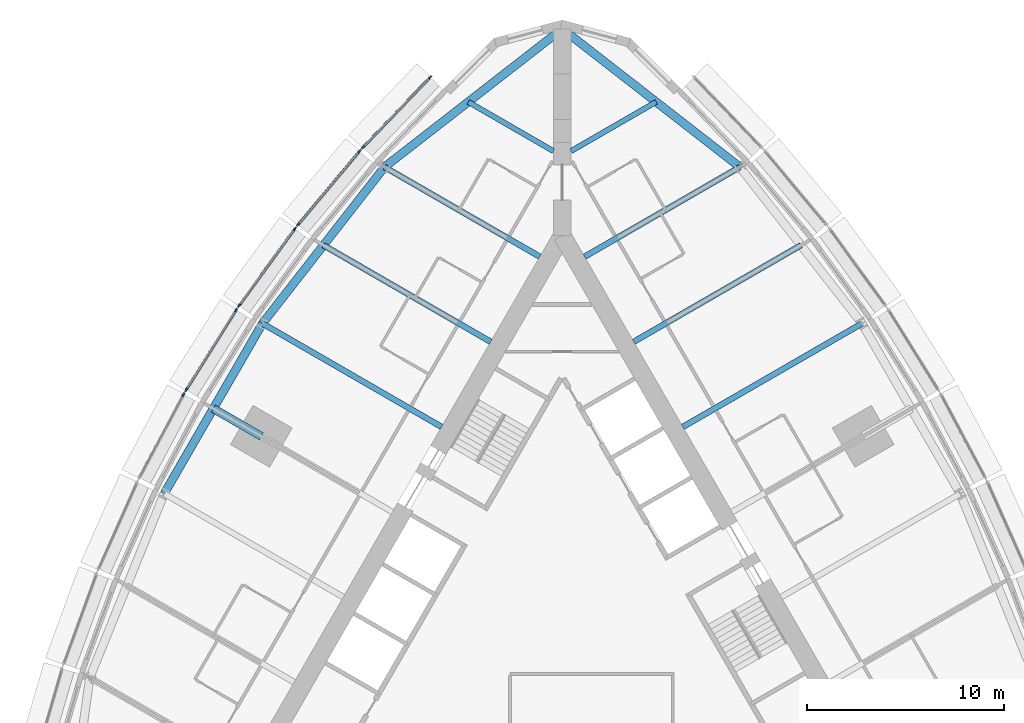
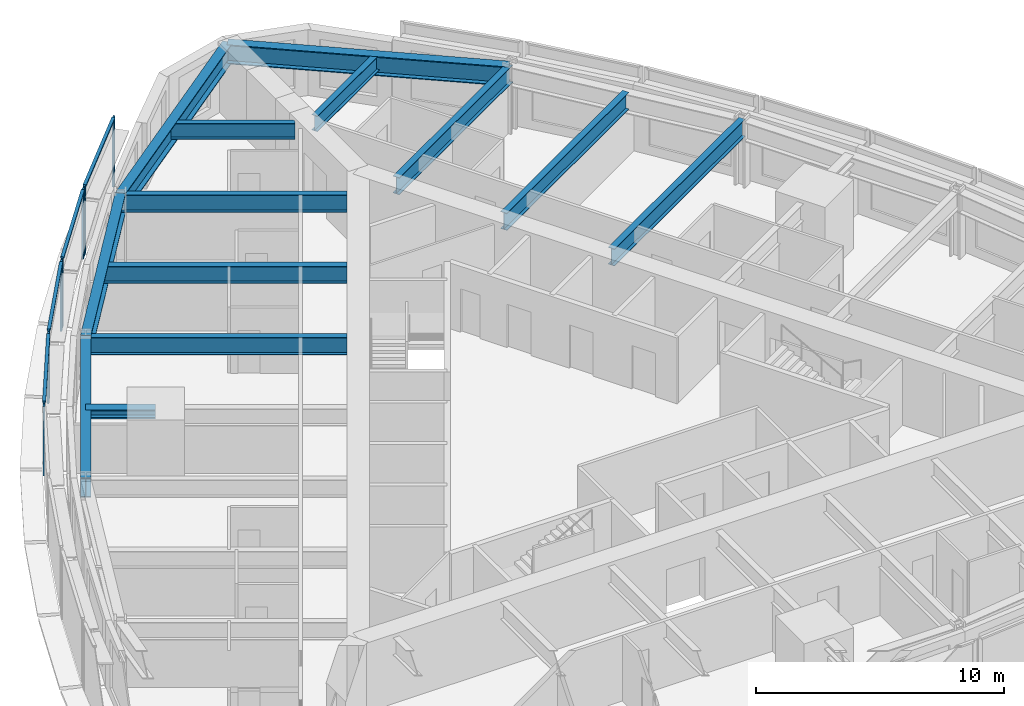
# One storey, part 4 of 14: 13 beams, 13 members, 5 elements without a shape of their own.
"""IFC4 building model written with IfcOpenShell, lengths in metres."""

from ifc_helpers import new_model, si_unit, direction, frame, origin, origin_2d, place, context, subcontext, project, spatial, rectangle, i_section, extrude, material, material_profile, profile_set, type_object, element, aggregate, save


model = new_model("IFC4")

# Units and contexts
model_context = context("Model", 3, precision=1e-05, world=origin(), true_north=direction((0.0, 1.0)))
body_context = subcontext(model_context, "Body", "Model", "MODEL_VIEW")
ifc_project = project(units=[si_unit("LENGTHUNIT", "METRE"), si_unit("AREAUNIT", "SQUARE_METRE"), si_unit("VOLUMEUNIT", "CUBIC_METRE"), si_unit("PLANEANGLEUNIT", "RADIAN"), si_unit("MASSUNIT", "GRAM", prefix="KILO")], contexts=[model_context])

# Site, building, storey
site_placement = place(None, origin())
site = spatial("IfcSite", under=ifc_project, at=site_placement, CompositionType="ELEMENT")
building_placement = place(site_placement, origin())
building = spatial("IfcBuilding", under=site, at=building_placement, Name="Trikona Tower", CompositionType="ELEMENT")
storey_placement = place(building_placement, frame((0.0, 0.0, 155.5)))
storey = spatial("IfcBuildingStorey", under=building, at=storey_placement, Name="L41", CompositionType="ELEMENT", Elevation=155.5)

# Curtain wall, members
ifc_material_1 = material(Name="Aluminium curtain wall system", Category="aluminium")
curtain_wall_type = type_object("IfcCurtainWallType", Name="Curtain wall DS2", PredefinedType="NOTDEFINED", material=ifc_material_1)
curtain_wall_1_placement = place(storey_placement, origin())
curtain_wall_1 = element("IfcCurtainWall", 1, at=curtain_wall_1_placement, inside=storey, type_object=curtain_wall_type, Name="Curtain wall DS2 L41", PredefinedType="NOTDEFINED")
ifc_material_2 = material(Name="Aluminium mullion, pale anodised", Category="aluminium")
ifc_material_profile_1 = material_profile(ifc_material_2, rectangle(XDim=0.080078125, YDim=0.199951171875, at=origin_2d()), Name="MUL-DS2")
ifc_profile_set_1 = profile_set([ifc_material_profile_1], Name="Aluminium mullion, pale anodised")
member_type_1 = type_object("IfcMemberType", Name="Mullion DS2 80x200", PredefinedType="MULLION", material=ifc_profile_set_1)
member_1_placement = place(storey_placement, frame((-6.718994140625, 27.1083984375, 0.0), z_axis=(0.0, 0.0, 1.0), x_axis=(0.722158330767, -0.691727797117, 0.0)))
member_1 = element("IfcMember", 2, at=member_1_placement, type_object=member_type_1, Name="CW-DS2 mullion 1", PredefinedType="MULLION", context=body_context, shape_type="SweptSolid", body=[
    extrude(rectangle(XDim=0.080078125, YDim=0.199951171875, at=origin_2d()), origin(), (0.0, 0.0, 1.0), 3.39990234375),
])
member_2_placement = place(storey_placement, frame((-10.1416015625, 23.535400390625, 0.0), z_axis=(0.0, 0.0, 1.0), x_axis=(0.722158330767, -0.691727797117, 0.0)))
member_2 = element("IfcMember", 3, at=member_2_placement, type_object=member_type_1, Name="CW-DS2 mullion 2", PredefinedType="MULLION", context=body_context, shape_type="SweptSolid", body=[
    extrude(rectangle(XDim=0.080078125, YDim=0.199951171875, at=origin_2d()), origin(), (0.0, 0.0, 1.0), 3.39990234375),
])

curtain_wall_2_placement = place(storey_placement, origin())
curtain_wall_2 = element("IfcCurtainWall", 4, at=curtain_wall_2_placement, inside=storey, type_object=curtain_wall_type, Name="Curtain wall DS2 L41", PredefinedType="NOTDEFINED")
member_3_placement = place(storey_placement, frame((-10.315185546875, 23.34130859375, 0.0), z_axis=(0.0, 0.0, 1.0), x_axis=(0.766866678271, -0.641806433248, 0.0)))
member_3 = element("IfcMember", 5, at=member_3_placement, type_object=member_type_1, Name="CW-DS2 mullion 1", PredefinedType="MULLION", context=body_context, shape_type="SweptSolid", body=[
    extrude(rectangle(XDim=0.080078125, YDim=0.199951171875, at=origin_2d()), origin(), (0.0, 0.0, 1.0), 3.39990234375),
])
member_4_placement = place(storey_placement, frame((-13.44482421875, 19.602294921875, 0.0), z_axis=(0.0, 0.0, 1.0), x_axis=(0.766866678271, -0.641806433248, 0.0)))
member_4 = element("IfcMember", 6, at=member_4_placement, type_object=member_type_1, Name="CW-DS2 mullion 2", PredefinedType="MULLION", context=body_context, shape_type="SweptSolid", body=[
    extrude(rectangle(XDim=0.080078125, YDim=0.199951171875, at=origin_2d()), origin(), (0.0, 0.0, 1.0), 3.39990234375),
])

curtain_wall_3_placement = place(storey_placement, origin())
curtain_wall_3 = element("IfcCurtainWall", 7, at=curtain_wall_3_placement, inside=storey, type_object=curtain_wall_type, Name="Curtain wall DS2 L41", PredefinedType="NOTDEFINED")
member_5_placement = place(storey_placement, frame((-13.605712890625, 19.39599609375, 0.0), z_axis=(0.0, 0.0, 1.0), x_axis=(0.80908576332, -0.587690588313, 0.0)))
member_5 = element("IfcMember", 8, at=member_5_placement, type_object=member_type_1, Name="CW-DS2 mullion 1", PredefinedType="MULLION", context=body_context, shape_type="SweptSolid", body=[
    extrude(rectangle(XDim=0.080078125, YDim=0.199951171875, at=origin_2d()), origin(), (0.0, 0.0, 1.0), 3.39990234375),
])
member_6_placement = place(storey_placement, frame((-16.442626953125, 15.489990234375, 0.0), z_axis=(0.0, 0.0, 1.0), x_axis=(0.80908576332, -0.587690588313, 0.0)))
member_6 = element("IfcMember", 9, at=member_6_placement, type_object=member_type_1, Name="CW-DS2 mullion 2", PredefinedType="MULLION", context=body_context, shape_type="SweptSolid", body=[
    extrude(rectangle(XDim=0.080078125, YDim=0.199951171875, at=origin_2d()), origin(), (0.0, 0.0, 1.0), 3.39990234375),
])

curtain_wall_4_placement = place(storey_placement, origin())
curtain_wall_4 = element("IfcCurtainWall", 10, at=curtain_wall_4_placement, inside=storey, type_object=curtain_wall_type, Name="Curtain wall DS2 L41", PredefinedType="NOTDEFINED")
member_7_placement = place(storey_placement, frame((-16.589599609375, 15.2724609375, 0.0), z_axis=(0.0, 0.0, 1.0), x_axis=(0.847998304006, -0.529998940002, 0.0)))
member_7 = element("IfcMember", 11, at=member_7_placement, type_object=member_type_1, Name="CW-DS2 mullion 1", PredefinedType="MULLION", context=body_context, shape_type="SweptSolid", body=[
    extrude(rectangle(XDim=0.080078125, YDim=0.199951171875, at=origin_2d()), origin(), (0.0, 0.0, 1.0), 3.39990234375),
])
member_8_placement = place(storey_placement, frame((-19.135009765625, 11.199462890625, 0.0), z_axis=(0.0, 0.0, 1.0), x_axis=(0.847998304006, -0.529998940002, 0.0)))
member_8 = element("IfcMember", 12, at=member_8_placement, type_object=member_type_1, Name="CW-DS2 mullion 2", PredefinedType="MULLION", context=body_context, shape_type="SweptSolid", body=[
    extrude(rectangle(XDim=0.080078125, YDim=0.199951171875, at=origin_2d()), origin(), (0.0, 0.0, 1.0), 3.39990234375),
])

# Curtain wall, member
curtain_wall_5_placement = place(storey_placement, origin())
curtain_wall_5 = element("IfcCurtainWall", 13, at=curtain_wall_5_placement, inside=storey, type_object=curtain_wall_type, Name="Curtain wall DS2 L41", PredefinedType="NOTDEFINED")
member_9_placement = place(storey_placement, frame((-19.2666015625, 10.9716796875, 0.0), z_axis=(0.0, 0.0, 1.0), x_axis=(0.882996107343, -0.469380308937, 0.0)))
member_9 = element("IfcMember", 14, at=member_9_placement, type_object=member_type_1, Name="CW-DS2 mullion 1", PredefinedType="MULLION", context=body_context, shape_type="SweptSolid", body=[
    extrude(rectangle(XDim=0.080078125, YDim=0.199951171875, at=origin_2d()), origin(), (0.0, 0.0, 1.0), 3.39990234375),
])
aggregate(curtain_wall_5, [member_9])

# Beams
ifc_material_3 = material(Name="Steel ASTM A992 Grade 50", Category="steel")
ifc_material_profile_2 = material_profile(ifc_material_3, i_section(OverallWidth=0.419189453125, OverallDepth=0.45458984375, WebThickness=0.042236328125, FlangeThickness=0.067626953125, at=origin_2d()), Name="W14X370")
ifc_profile_set_2 = profile_set([ifc_material_profile_2], Name="Steel ASTM A992 Grade 50")
beam_type_1 = type_object("IfcBeamType", Name="Steel beam W14x370 (apex bracket)", PredefinedType="BEAM", material=ifc_profile_set_2)
beam_1_placement = place(storey_placement, frame((-15.311767578125, 8.84033203125, 3.0078125), z_axis=(-0.86605005072, 0.499957307824, 0.0), x_axis=(-0.499957307824, -0.86605005072, 0.0)))
element("IfcBeam", 15, at=beam_1_placement, inside=storey, type_object=beam_type_1, Name="Cantilever bracket L42 F3", PredefinedType="BEAM", context=body_context, shape_type="SweptSolid", body=[
    extrude(i_section(OverallWidth=0.419189453125, OverallDepth=0.45458984375, WebThickness=0.042236328125, FlangeThickness=0.067626953125, at=origin_2d()), origin(), (0.0, 0.0, 1.0), 2.819580078125),
])
ifc_material_4 = material(Name="Steel ASTM A992 Grade 50", Category="steel")
ifc_material_profile_3 = material_profile(ifc_material_4, i_section(OverallWidth=0.2666015625, OverallDepth=0.76953125, WebThickness=0.015625, FlangeThickness=0.025390625, at=origin_2d()), Name="W30X132")
ifc_profile_set_3 = profile_set([ifc_material_profile_3], Name="Steel ASTM A992 Grade 50")
beam_type_2 = type_object("IfcBeamType", Name="Steel beam W30x132 (wedge)", PredefinedType="BEAM", material=ifc_profile_set_3)
for number, where, z_axis, x_axis, name in (
    (16, (0.449951171875, 23.353759765625, 2.85009765625), (0.866038434829, 0.49997742889, 0.0), (-0.49997742889, 0.866038434829, 0.0), "Floor beam L42 F2 u20"),
    (17, (-0.449951171875, 23.353759765625, 2.85009765625), (-0.866038434829, 0.49997742889, 0.0), (-0.49997742889, -0.866038434829, 0.0), "Floor beam L42 F3 u-20"),
):
    element("IfcBeam", number, at=place(storey_placement, frame(where, z_axis=z_axis, x_axis=x_axis)), inside=storey, type_object=beam_type_2, Name=name, PredefinedType="BEAM", context=body_context, shape_type="SweptSolid", body=[
        extrude(i_section(OverallWidth=0.2666015625, OverallDepth=0.76953125, WebThickness=0.015625, FlangeThickness=0.025390625, at=origin_2d()), origin(), (0.0, 0.0, 1.0), 5.000732421875),
    ])
ifc_material_5 = material(Name="Steel ASTM A992 Grade 50", Category="steel")
ifc_material_profile_4 = material_profile(ifc_material_5, i_section(OverallWidth=0.2919921875, OverallDepth=0.845703125, WebThickness=0.015380859375, FlangeThickness=0.0244140625, at=origin_2d()), Name="W33X141")
ifc_profile_set_4 = profile_set([ifc_material_profile_4], Name="Steel ASTM A992 Grade 50")
beam_type_3 = type_object("IfcBeamType", Name="Steel beam W33x141 (radial typ)", PredefinedType="BEAM", material=ifc_profile_set_4)
beam_2_placement = place(storey_placement, frame((6.1396484375, 9.318359375, 2.81201171875), z_axis=(0.866036080828, 0.499981506362, 0.0), x_axis=(-0.499981506362, 0.866036080828, 0.0)))
element("IfcBeam", 18, at=beam_2_placement, inside=storey, type_object=beam_type_3, Name="Floor beam L42 F2 u5", PredefinedType="BEAM", context=body_context, shape_type="SweptSolid", body=[
    extrude(i_section(OverallWidth=0.2919921875, OverallDepth=0.845703125, WebThickness=0.015380859375, FlangeThickness=0.0244140625, at=origin_2d()), origin(), (0.0, 0.0, 1.0), 10.52392578125),
])
beam_3_placement = place(storey_placement, frame((3.6396484375, 13.6484375, 2.81201171875), z_axis=(0.866030807744, 0.499990639951, 0.0), x_axis=(-0.499990639951, 0.866030807744, 0.0)))
element("IfcBeam", 19, at=beam_3_placement, inside=storey, type_object=beam_type_3, Name="Floor beam L42 F2 u10", PredefinedType="BEAM", context=body_context, shape_type="SweptSolid", body=[
    extrude(i_section(OverallWidth=0.2919921875, OverallDepth=0.845703125, WebThickness=0.015380859375, FlangeThickness=0.0244140625, at=origin_2d()), origin(), (0.0, 0.0, 1.0), 9.823974609375),
])
for number, where, z_axis, x_axis, name in (
    (20, (1.1396484375, 17.978515625, 2.81201171875), (0.866024725532, 0.500001174766, 0.0), (-0.500001174766, 0.866024725532, 0.0), "Floor beam L42 F2 u15"),
    (21, (-1.1396484375, 17.978515625, 2.81201171875), (-0.866024725532, 0.500001174766, 0.0), (-0.500001174766, -0.866024725532, 0.0), "Floor beam L42 F3 u-15"),
):
    element("IfcBeam", number, at=place(storey_placement, frame(where, z_axis=z_axis, x_axis=x_axis)), inside=storey, type_object=beam_type_3, Name=name, PredefinedType="BEAM", context=body_context, shape_type="SweptSolid", body=[
        extrude(i_section(OverallWidth=0.2919921875, OverallDepth=0.845703125, WebThickness=0.015380859375, FlangeThickness=0.0244140625, at=origin_2d()), origin(), (0.0, 0.0, 1.0), 9.1240234375),
    ])
beam_4_placement = place(storey_placement, frame((-3.6396484375, 13.6484375, 2.81201171875), z_axis=(-0.866030807744, 0.499990639951, 0.0), x_axis=(-0.499990639951, -0.866030807744, 0.0)))
element("IfcBeam", 22, at=beam_4_placement, inside=storey, type_object=beam_type_3, Name="Floor beam L42 F3 u-10", PredefinedType="BEAM", context=body_context, shape_type="SweptSolid", body=[
    extrude(i_section(OverallWidth=0.2919921875, OverallDepth=0.845703125, WebThickness=0.015380859375, FlangeThickness=0.0244140625, at=origin_2d()), origin(), (0.0, 0.0, 1.0), 9.823974609375),
])
beam_5_placement = place(storey_placement, frame((-6.1396484375, 9.318359375, 2.81201171875), z_axis=(-0.866036080828, 0.499981506362, 0.0), x_axis=(-0.499981506362, -0.866036080828, 0.0)))
element("IfcBeam", 23, at=beam_5_placement, inside=storey, type_object=beam_type_3, Name="Floor beam L42 F3 u-5", PredefinedType="BEAM", context=body_context, shape_type="SweptSolid", body=[
    extrude(i_section(OverallWidth=0.2919921875, OverallDepth=0.845703125, WebThickness=0.015380859375, FlangeThickness=0.0244140625, at=origin_2d()), origin(), (0.0, 0.0, 1.0), 10.52392578125),
])
ifc_material_6 = material(Name="Steel ASTM A992 Grade 50", Category="steel")
ifc_material_profile_5 = material_profile(ifc_material_6, i_section(OverallWidth=0.424072265625, OverallDepth=0.947509765625, WebThickness=0.02392578125, FlangeThickness=0.042724609375, at=origin_2d()), Name="W36X302")
ifc_profile_set_5 = profile_set([ifc_material_profile_5], Name="Steel ASTM A992 Grade 50")
beam_type_4 = type_object("IfcBeamType", Name="Steel beam W36x302 (spandrel)", PredefinedType="SPANDREL", material=ifc_profile_set_5)
for number, where, z_axis, x_axis, name in (
    (24, (9.041259765625, 22.54052734375, 2.76123046875), (-0.789367137808, 0.613921429621, 0.0), (-0.613921429621, -0.789367137808, 0.0), "Spandrel beam L42 F2-5"),
    (25, (0.0, 29.572265625, 2.76123046875), (-0.789367137808, -0.613921429621, 0.0), (0.613921429621, -0.789367137808, 0.0), "Spandrel beam L42 F3-1"),
):
    element("IfcBeam", number, at=place(storey_placement, frame(where, z_axis=z_axis, x_axis=x_axis)), inside=storey, type_object=beam_type_4, Name=name, PredefinedType="SPANDREL", context=body_context, shape_type="SweptSolid", body=[
        extrude(i_section(OverallWidth=0.424072265625, OverallDepth=0.947509765625, WebThickness=0.02392578125, FlangeThickness=0.042724609375, at=origin_2d()), origin(), (0.0, 0.0, 1.0), 11.453857421875),
    ])
beam_6_placement = place(storey_placement, frame((-9.041259765625, 22.54052734375, 2.76123046875), z_axis=(-0.615232009054, -0.788346101046, 0.0), x_axis=(0.788346101046, -0.615232009054, 0.0)))
element("IfcBeam", 26, at=beam_6_placement, inside=storey, type_object=beam_type_4, Name="Spandrel beam L42 F3-2", PredefinedType="SPANDREL", context=body_context, shape_type="SweptSolid", body=[
    extrude(i_section(OverallWidth=0.424072265625, OverallDepth=0.947509765625, WebThickness=0.02392578125, FlangeThickness=0.042724609375, at=origin_2d()), origin(), (0.0, 0.0, 1.0), 10.09765625),
])
beam_7_placement = place(storey_placement, frame((-15.253662109375, 14.580078125, 2.76123046875), z_axis=(-0.500004234368, -0.866022959057, 0.0), x_axis=(0.866022959057, -0.500004234368, 0.0)))
element("IfcBeam", 27, at=beam_7_placement, inside=storey, type_object=beam_type_4, Name="Spandrel beam L42 F3-3", PredefinedType="SPANDREL", context=body_context, shape_type="SweptSolid", body=[
    extrude(i_section(OverallWidth=0.424072265625, OverallDepth=0.947509765625, WebThickness=0.02392578125, FlangeThickness=0.042724609375, at=origin_2d()), origin(), (0.0, 0.0, 1.0), 10.0),
])

# Member
ifc_material_7 = material(Name="Aluminium transom, pale anodised", Category="aluminium")
ifc_material_profile_6 = material_profile(ifc_material_7, rectangle(XDim=0.139892578125, YDim=0.080078125, at=origin_2d()), Name="TRN-DS2")
ifc_profile_set_6 = profile_set([ifc_material_profile_6], Name="Aluminium transom, pale anodised")
member_type_2 = type_object("IfcMemberType", Name="Transom DS2 80x140", PredefinedType="USERDEFINED", material=ifc_profile_set_6)
member_10_placement = place(storey_placement, frame((-6.746826171875, 27.07958984375, 3.360107421875), z_axis=(-0.691721246785, -0.722164605022, 0.0), x_axis=(0.722164605022, -0.691721246785, 0.0)))
member_10 = element("IfcMember", 28, at=member_10_placement, type_object=member_type_2, Name="CW-DS2 transom 1.1", ObjectType="TRANSOM", PredefinedType="USERDEFINED", context=body_context, shape_type="SweptSolid", body=[
    extrude(rectangle(XDim=0.139892578125, YDim=0.080078125, at=origin_2d()), origin(), (0.0, 0.0, 1.0), 4.867919921875),
])

aggregate(curtain_wall_1, [member_1, member_2, member_10])

member_11_placement = place(storey_placement, frame((-10.341064453125, 23.310791015625, 3.360107421875), z_axis=(-0.641770294892, -0.766896921753, 0.0), x_axis=(0.766896921753, -0.641770294892, 0.0)))
member_11 = element("IfcMember", 29, at=member_11_placement, type_object=member_type_2, Name="CW-DS2 transom 1.1", ObjectType="TRANSOM", PredefinedType="USERDEFINED", context=body_context, shape_type="SweptSolid", body=[
    extrude(rectangle(XDim=0.139892578125, YDim=0.080078125, at=origin_2d()), origin(), (0.0, 0.0, 1.0), 4.7958984375),
])

aggregate(curtain_wall_2, [member_3, member_4, member_11])

member_12_placement = place(storey_placement, frame((-13.629150390625, 19.363525390625, 3.360107421875), z_axis=(-0.587694585883, -0.809082859616, 0.0), x_axis=(0.809082859616, -0.587694585883, 0.0)))
member_12 = element("IfcMember", 30, at=member_12_placement, type_object=member_type_2, Name="CW-DS2 transom 1.1", ObjectType="TRANSOM", PredefinedType="USERDEFINED", context=body_context, shape_type="SweptSolid", body=[
    extrude(rectangle(XDim=0.139892578125, YDim=0.080078125, at=origin_2d()), origin(), (0.0, 0.0, 1.0), 4.747314453125),
])

aggregate(curtain_wall_3, [member_5, member_6, member_12])

member_13_placement = place(storey_placement, frame((-16.610595703125, 15.238525390625, 3.360107421875), z_axis=(-0.530031463794, -0.847977975769, 0.0), x_axis=(0.847977975769, -0.530031463794, 0.0)))
member_13 = element("IfcMember", 31, at=member_13_placement, type_object=member_type_2, Name="CW-DS2 transom 1.1", ObjectType="TRANSOM", PredefinedType="USERDEFINED", context=body_context, shape_type="SweptSolid", body=[
    extrude(rectangle(XDim=0.139892578125, YDim=0.080078125, at=origin_2d()), origin(), (0.0, 0.0, 1.0), 4.72314453125),
])

aggregate(curtain_wall_4, [member_7, member_8, member_13])

save(model, "model.ifc")
